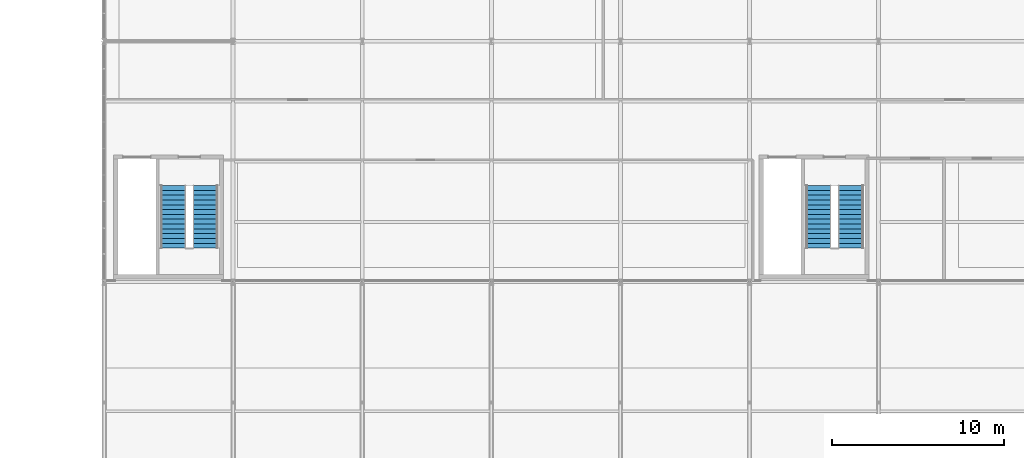
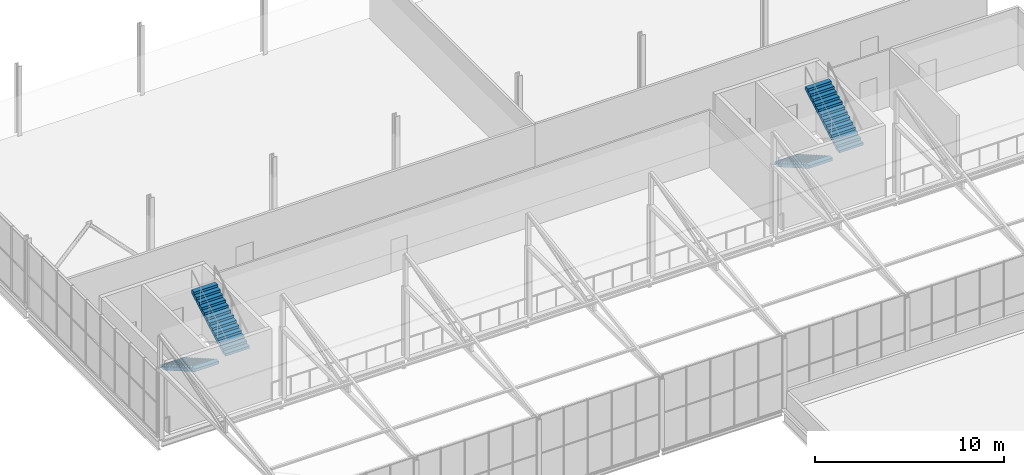
# One storey, part 99 of 104: 4 stair flights, 2 elements without a shape of their own.
"""IFC4 building model written with IfcOpenShell, lengths in metres."""

import ifcopenshell
import ifcopenshell.guid

model = None  # the IFC model being written
_history = None  # IfcOwnerHistory: only IFC2X3 demands one
_inside = {}  # id of a spatial element -> (the spatial element, [elements in it])
_under = {}  # id of a project, library or spatial element -> (it, [spatial elements below it])
_declared = {}  # id of a project -> (the project, [libraries it declares])
_typed = {}  # id of a type object -> (the type object, [elements of that type])
_made_of = {}  # id of a material, layer set ... -> (it, [elements and type objects made of it])


def new_model(schema):
    """Start an empty IFC model of exactly this schema.

    Asked for "IFC4X3", IfcOpenShell would pick the latest addendum, in which some entities
    have other attributes; the version numbers below select the first issue.
    IFC2X3 requires an IfcOwnerHistory on every rooted entity: one is made here for all.
    """
    global model, _history
    if schema == "IFC4X3":
        model = ifcopenshell.file(schema_version=(4, 3, 0, 0))
    else:
        model = ifcopenshell.file(schema=schema)
    _inside.clear()
    _under.clear()
    _declared.clear()
    _typed.clear()
    _made_of.clear()
    _history = None
    if model.schema == "IFC2X3":
        org = make("IfcOrganization", Name="unknown")
        user = make(
            "IfcPersonAndOrganization",
            ThePerson=make("IfcPerson", FamilyName="unknown"),
            TheOrganization=org,
        )
        app = make(
            "IfcApplication",
            ApplicationDeveloper=org,
            Version="unknown",
            ApplicationFullName="unknown",
            ApplicationIdentifier="unknown",
        )
        _history = make(
            "IfcOwnerHistory",
            OwningUser=user,
            OwningApplication=app,
            ChangeAction="ADDED",
            CreationDate=0,
        )
    return model


def make(cls, **values):
    """One entity of the class cls with the attributes given. An attribute that is None is left unset."""
    return model.create_entity(
        cls, **{name: value for name, value in values.items() if value is not None}
    )


def rooted(cls, **values):
    """An entity with a GlobalId (a new one), such as an element, a storey or a relation."""
    return make(cls, GlobalId=ifcopenshell.guid.new(), OwnerHistory=_history, **values)


def si_unit(unit_type, name, prefix=None):
    """IfcSIUnit, for example si_unit("LENGTHUNIT", "METRE", prefix="MILLI")."""
    return make("IfcSIUnit", UnitType=unit_type, Prefix=prefix, Name=name)


def assignment(units):
    """IfcUnitAssignment: the units of a project."""
    return None if units is None else make("IfcUnitAssignment", Units=units)


def point(xyz):
    """IfcCartesianPoint."""
    return None if xyz is None else make("IfcCartesianPoint", Coordinates=xyz)


def direction(xyz):
    """IfcDirection."""
    return None if xyz is None else make("IfcDirection", DirectionRatios=xyz)


def frame(location, z_axis=None, x_axis=None):
    """IfcAxis2Placement3D, a coordinate frame: its origin and axes. An axis left out is left unset."""
    return make(
        "IfcAxis2Placement3D",
        Location=point(location),
        Axis=direction(z_axis),
        RefDirection=direction(x_axis),
    )


def origin():
    """The frame at (0, 0, 0) with its axes left unset."""
    return frame((0.0, 0.0, 0.0))


def place(relative_to, where):
    """IfcLocalPlacement: puts the frame where relative to a parent placement (None: the world)."""
    return make(
        "IfcLocalPlacement", PlacementRelTo=relative_to, RelativePlacement=where
    )


def context(
    kind, dimensions, precision=None, world=None, true_north=None, identifier=None
):
    """IfcGeometricRepresentationContext, for example the 3D "Model" context."""
    return make(
        "IfcGeometricRepresentationContext",
        ContextIdentifier=identifier,
        ContextType=kind,
        CoordinateSpaceDimension=dimensions,
        Precision=precision,
        WorldCoordinateSystem=world,
        TrueNorth=true_north,
    )


def subcontext(parent, identifier, kind, view, scale=None):
    """IfcGeometricRepresentationSubContext, for example "Body" below "Model"."""
    return make(
        "IfcGeometricRepresentationSubContext",
        ContextIdentifier=identifier,
        ContextType=kind,
        ParentContext=parent,
        TargetScale=scale,
        TargetView=view,
    )


def project(units=None, contexts=None):
    """IfcProject with its units and contexts."""
    return rooted(
        "IfcProject",
        Name="project",
        RepresentationContexts=contexts,
        UnitsInContext=assignment(units),
    )


def spatial(cls, under=None, at=None, **own):
    """A site, building, storey or space (cls), placed at a placement, below another one or the project."""
    s = rooted(cls, ObjectPlacement=at, **own)
    if under is not None:
        _under.setdefault(under.id(), (under, []))[1].append(s)
    return s


def polyline(points):
    """IfcPolyline through the points."""
    return make("IfcPolyline", Points=[point(p) for p in points])


def outline(outer, holes=None, kind="AREA"):
    """IfcArbitraryClosedProfileDef: a profile drawn as a closed curve; with holes, ...WithVoids."""
    if holes is None:
        return make("IfcArbitraryClosedProfileDef", ProfileType=kind, OuterCurve=outer)
    return make(
        "IfcArbitraryProfileDefWithVoids",
        ProfileType=kind,
        OuterCurve=outer,
        InnerCurves=holes,
    )


def extrude(swept, where, along, depth):
    """IfcExtrudedAreaSolid: the profile swept, set in the frame where, extruded along a direction by depth."""
    return make(
        "IfcExtrudedAreaSolid",
        SweptArea=swept,
        Position=where,
        ExtrudedDirection=direction(along),
        Depth=depth,
    )


def shape(context_of_items, identifier, shape_type, items):
    """IfcShapeRepresentation: the items that make up one representation, for example the "Body"."""
    return make(
        "IfcShapeRepresentation",
        ContextOfItems=context_of_items,
        RepresentationIdentifier=identifier,
        RepresentationType=shape_type,
        Items=items,
    )


def material(Name=None, Category=None):
    """IfcMaterial."""
    return make("IfcMaterial", Name=Name, Category=Category)


def made_of(thing, what):
    """Note that an element or type object is made of a material, layer set ...; save() writes the relation."""
    if what is not None:
        _made_of.setdefault(what.id(), (what, []))[1].append(thing)
    return thing


def type_object(cls, material=None, **own):
    """A type object (cls), such as IfcWallType, which elements share."""
    return made_of(rooted(cls, **own), material)


def element(
    cls,
    number,
    at=None,
    inside=None,
    cuts=None,
    type_object=None,
    material=None,
    context=None,
    identifier="Body",
    shape_type=None,
    held_by="IfcProductDefinitionShape",
    body=None,
    shapes=None,
    **own,
):
    """One element of the class cls, such as IfcWall. Its Tag is "e" and its number.

    at: its placement. inside: the storey or other place that contains it. cuts: it is an
    opening in that element (IfcRelVoidsElement). A single representation is given by context,
    identifier, shape_type and body (its items); several are given by shapes. held_by: the class
    of the entity that holds the representations. save() writes the other relations.
    """
    e = rooted(cls, Tag="e%d" % number, ObjectPlacement=at, **own)
    if body is not None:
        shapes = [shape(context, identifier, shape_type, body)]
    if shapes is not None:
        e.Representation = make(held_by, Representations=shapes)
    if inside is not None:
        _inside.setdefault(inside.id(), (inside, []))[1].append(e)
    if cuts is not None:
        rooted(
            "IfcRelVoidsElement", RelatingBuildingElement=cuts, RelatedOpeningElement=e
        )
    if type_object is not None:
        _typed.setdefault(type_object.id(), (type_object, []))[1].append(e)
    return made_of(e, material)


def aggregate(whole, parts):
    """IfcRelAggregates: a whole, such as a stair, and the parts it consists of."""
    return rooted("IfcRelAggregates", RelatingObject=whole, RelatedObjects=parts)


def save(model, path):
    """Write the relations noted so far, then the file.

    IfcRelAggregates (storeys below a building ...), IfcRelContainedInSpatialStructure (elements
    in a storey), IfcRelDefinesByType, IfcRelAssociatesMaterial and IfcRelDeclares: one each for
    every whole, place, type object, material and project.
    """
    for whole, parts in _under.values():
        aggregate(whole, parts)
    for where, things in _inside.values():
        rooted(
            "IfcRelContainedInSpatialStructure",
            RelatedElements=things,
            RelatingStructure=where,
        )
    for kind, things in _typed.values():
        rooted("IfcRelDefinesByType", RelatedObjects=things, RelatingType=kind)
    for what, things in _made_of.values():
        rooted("IfcRelAssociatesMaterial", RelatedObjects=things, RelatingMaterial=what)
    for by, libraries in _declared.values():
        rooted("IfcRelDeclares", RelatingContext=by, RelatedDefinitions=libraries)
    model.write(path)


model = new_model("IFC4")

# Units and contexts
model_context = context("Model", 3, precision=1e-05, world=origin(), true_north=direction((0.0, 1.0)))
body_context = subcontext(model_context, "Body", "Model", "MODEL_VIEW")
ifc_project = project(units=[si_unit("LENGTHUNIT", "METRE"), si_unit("AREAUNIT", "SQUARE_METRE"), si_unit("VOLUMEUNIT", "CUBIC_METRE"), si_unit("PLANEANGLEUNIT", "RADIAN"), si_unit("MASSUNIT", "GRAM", prefix="KILO")], contexts=[model_context])

# Site, building, storey
site_placement = place(None, origin())
site = spatial("IfcSite", under=ifc_project, at=site_placement, CompositionType="ELEMENT")
building_placement = place(site_placement, origin())
building = spatial("IfcBuilding", under=site, at=building_placement, Name="Solvenia Promenade Tram Depot", CompositionType="ELEMENT")
storey_placement = place(building_placement, frame((0.0, 0.0, 9.0)))
storey = spatial("IfcBuildingStorey", under=building, at=storey_placement, Name="L02", CompositionType="ELEMENT", Elevation=9.0)

# Stair, stair flights
ifc_material = material(Name="Concrete C28/35", Category="concrete")
stair_type = type_object("IfcStairType", Name="Stair-Core-1460", PredefinedType="TWO_STRAIGHT_RUN_STAIR", material=ifc_material)
stair_1_placement = place(storey_placement, origin())
stair_1 = element("IfcStair", 1, at=stair_1_placement, inside=storey, type_object=stair_type, Name="Enclosed Exit Stair ST-05-L02", PredefinedType="TWO_STRAIGHT_RUN_STAIR")
stair_flight_type = type_object("IfcStairFlightType", Name="Flight-Core-1460", PredefinedType="STRAIGHT", material=ifc_material)
stair_flight_1_placement = place(storey_placement, frame((109.010009765625, 43.6201171875, 0.0), z_axis=(0.0, 0.0, 1.0), x_axis=(0.0, -1.0, 0.0)))
stair_flight_1 = element("IfcStairFlight", 2, at=stair_flight_1_placement, type_object=stair_flight_type, Name="ST-05-L02 flight 1", NumberOfRisers=14, NumberOfTreads=13, PredefinedType="STRAIGHT", RiserHeight=0.160714286, TreadLength=0.28, context=body_context, shape_type="SweptSolid", body=[
    extrude(outline(polyline([(0.0, 0.0), (0.0, 0.16064453125), (0.280029296875, 0.16064453125), (0.280029296875, 0.321533203125), (0.56005859375, 0.321533203125), (0.56005859375, 0.482177734375), (0.840087890625, 0.482177734375), (0.840087890625, 0.642822265625), (1.1201171875, 0.642822265625), (1.1201171875, 0.803466796875), (1.39990234375, 0.803466796875), (1.39990234375, 0.96435546875), (1.679931640625, 0.96435546875), (1.679931640625, 1.125), (1.9599609375, 1.125), (1.9599609375, 1.28564453125), (2.239990234375, 1.28564453125), (2.239990234375, 1.446533203125), (2.52001953125, 1.446533203125), (2.52001953125, 1.607177734375), (2.800048828125, 1.607177734375), (2.800048828125, 1.767822265625), (3.080078125, 1.767822265625), (3.080078125, 1.928466796875), (3.360107421875, 1.928466796875), (3.360107421875, 2.08935546875), (3.639892578125, 2.08935546875), (3.639892578125, 2.25), (3.639892578125, 1.90478515625), (0.3212890625, 0.0), (0.0, 0.0)])), frame((0.0, 0.72998046875, 0.0), z_axis=(0.0, -1.0, 0.0), x_axis=(1.0, 0.0, 0.0)), (0.0, 0.0, 1.0), 1.4599609375),
])
stair_flight_2_placement = place(storey_placement, frame((110.889892578125, 39.97998046875, 2.25), z_axis=(0.0, 0.0, 1.0), x_axis=(0.0, 1.0, 0.0)))
stair_flight_2 = element("IfcStairFlight", 3, at=stair_flight_2_placement, type_object=stair_flight_type, Name="ST-05-L02 flight 2", NumberOfRisers=14, NumberOfTreads=13, PredefinedType="STRAIGHT", RiserHeight=0.160714286, TreadLength=0.28, context=body_context, shape_type="SweptSolid", body=[
    extrude(outline(polyline([(0.0, 0.0), (0.0, 0.16064453125), (0.280029296875, 0.16064453125), (0.280029296875, 0.321533203125), (0.56005859375, 0.321533203125), (0.56005859375, 0.482177734375), (0.840087890625, 0.482177734375), (0.840087890625, 0.642822265625), (1.1201171875, 0.642822265625), (1.1201171875, 0.803466796875), (1.39990234375, 0.803466796875), (1.39990234375, 0.96435546875), (1.679931640625, 0.96435546875), (1.679931640625, 1.125), (1.9599609375, 1.125), (1.9599609375, 1.28564453125), (2.239990234375, 1.28564453125), (2.239990234375, 1.446533203125), (2.52001953125, 1.446533203125), (2.52001953125, 1.607177734375), (2.800048828125, 1.607177734375), (2.800048828125, 1.767822265625), (3.080078125, 1.767822265625), (3.080078125, 1.928466796875), (3.360107421875, 1.928466796875), (3.360107421875, 2.08935546875), (3.639892578125, 2.08935546875), (3.639892578125, 2.25), (3.639892578125, 1.90478515625), (0.3212890625, 0.0), (0.0, 0.0)])), frame((0.0, 0.72998046875, 0.0), z_axis=(0.0, -1.0, 0.0), x_axis=(1.0, 0.0, 0.0)), (0.0, 0.0, 1.0), 1.4599609375),
])
aggregate(stair_1, [stair_flight_1, stair_flight_2])

stair_2_placement = place(storey_placement, origin())
stair_2 = element("IfcStair", 4, at=stair_2_placement, inside=storey, type_object=stair_type, Name="Enclosed Exit Stair ST-06-L02", PredefinedType="TWO_STRAIGHT_RUN_STAIR")
stair_flight_3_placement = place(storey_placement, frame((146.510009765625, 43.6201171875, 0.0), z_axis=(0.0, 0.0, 1.0), x_axis=(0.0, -1.0, 0.0)))
stair_flight_3 = element("IfcStairFlight", 5, at=stair_flight_3_placement, type_object=stair_flight_type, Name="ST-06-L02 flight 1", NumberOfRisers=14, NumberOfTreads=13, PredefinedType="STRAIGHT", RiserHeight=0.160714286, TreadLength=0.28, context=body_context, shape_type="SweptSolid", body=[
    extrude(outline(polyline([(0.0, 0.0), (0.0, 0.16064453125), (0.280029296875, 0.16064453125), (0.280029296875, 0.321533203125), (0.56005859375, 0.321533203125), (0.56005859375, 0.482177734375), (0.840087890625, 0.482177734375), (0.840087890625, 0.642822265625), (1.1201171875, 0.642822265625), (1.1201171875, 0.803466796875), (1.39990234375, 0.803466796875), (1.39990234375, 0.96435546875), (1.679931640625, 0.96435546875), (1.679931640625, 1.125), (1.9599609375, 1.125), (1.9599609375, 1.28564453125), (2.239990234375, 1.28564453125), (2.239990234375, 1.446533203125), (2.52001953125, 1.446533203125), (2.52001953125, 1.607177734375), (2.800048828125, 1.607177734375), (2.800048828125, 1.767822265625), (3.080078125, 1.767822265625), (3.080078125, 1.928466796875), (3.360107421875, 1.928466796875), (3.360107421875, 2.08935546875), (3.639892578125, 2.08935546875), (3.639892578125, 2.25), (3.639892578125, 1.90478515625), (0.3212890625, 0.0), (0.0, 0.0)])), frame((0.0, 0.72998046875, 0.0), z_axis=(0.0, -1.0, 0.0), x_axis=(1.0, 0.0, 0.0)), (0.0, 0.0, 1.0), 1.4599609375),
])
stair_flight_4_placement = place(storey_placement, frame((148.389892578125, 39.97998046875, 2.25), z_axis=(0.0, 0.0, 1.0), x_axis=(0.0, 1.0, 0.0)))
stair_flight_4 = element("IfcStairFlight", 6, at=stair_flight_4_placement, type_object=stair_flight_type, Name="ST-06-L02 flight 2", NumberOfRisers=14, NumberOfTreads=13, PredefinedType="STRAIGHT", RiserHeight=0.160714286, TreadLength=0.28, context=body_context, shape_type="SweptSolid", body=[
    extrude(outline(polyline([(0.0, 0.0), (0.0, 0.16064453125), (0.280029296875, 0.16064453125), (0.280029296875, 0.321533203125), (0.56005859375, 0.321533203125), (0.56005859375, 0.482177734375), (0.840087890625, 0.482177734375), (0.840087890625, 0.642822265625), (1.1201171875, 0.642822265625), (1.1201171875, 0.803466796875), (1.39990234375, 0.803466796875), (1.39990234375, 0.96435546875), (1.679931640625, 0.96435546875), (1.679931640625, 1.125), (1.9599609375, 1.125), (1.9599609375, 1.28564453125), (2.239990234375, 1.28564453125), (2.239990234375, 1.446533203125), (2.52001953125, 1.446533203125), (2.52001953125, 1.607177734375), (2.800048828125, 1.607177734375), (2.800048828125, 1.767822265625), (3.080078125, 1.767822265625), (3.080078125, 1.928466796875), (3.360107421875, 1.928466796875), (3.360107421875, 2.08935546875), (3.639892578125, 2.08935546875), (3.639892578125, 2.25), (3.639892578125, 1.90478515625), (0.3212890625, 0.0), (0.0, 0.0)])), frame((0.0, 0.72998046875, 0.0), z_axis=(0.0, -1.0, 0.0), x_axis=(1.0, 0.0, 0.0)), (0.0, 0.0, 1.0), 1.4599609375),
])
aggregate(stair_2, [stair_flight_3, stair_flight_4])

save(model, "model.ifc")
